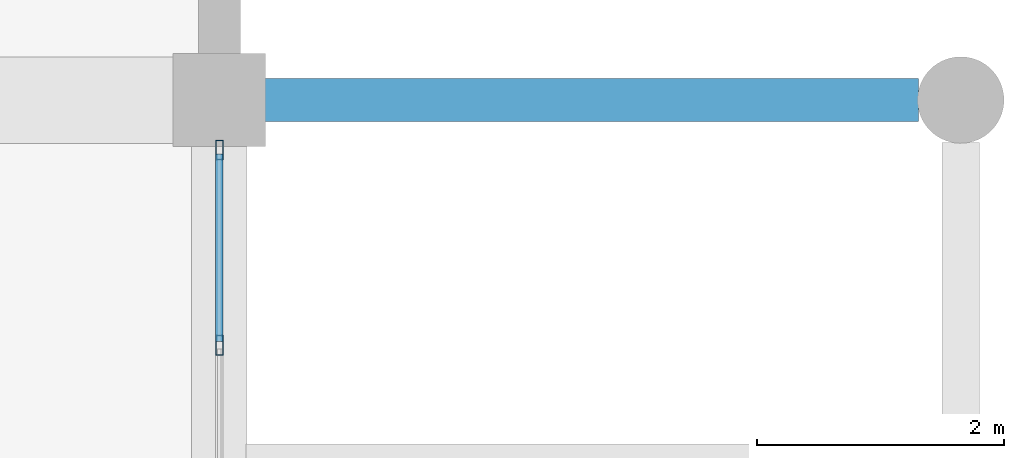
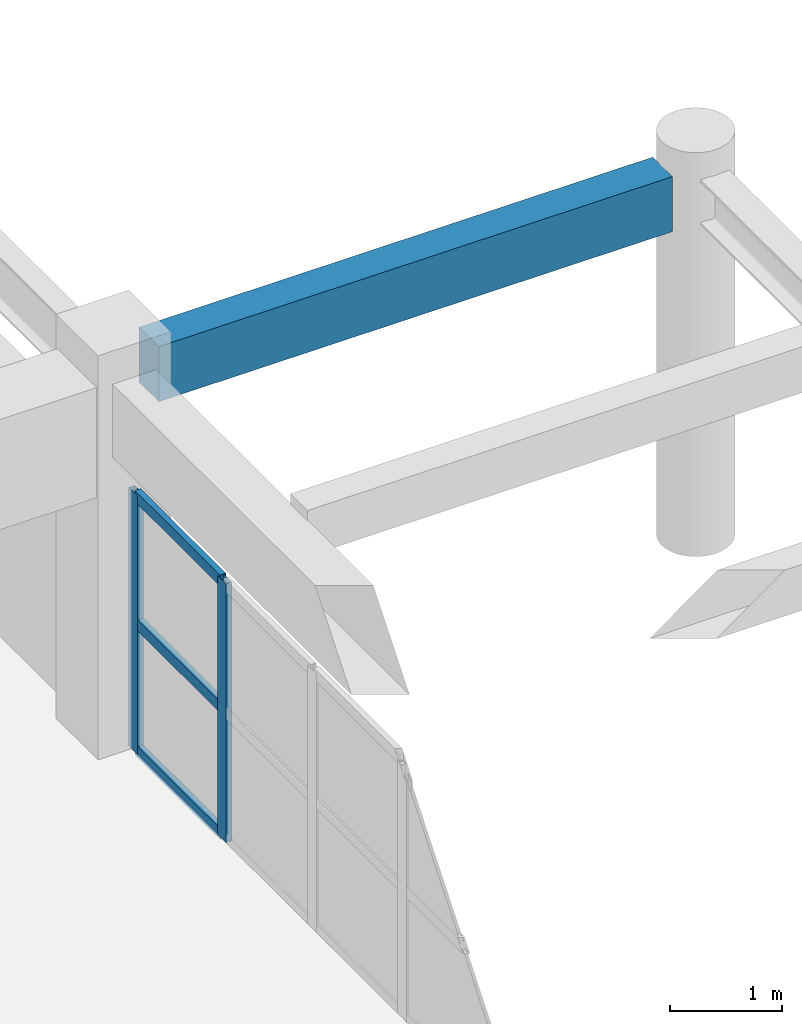
# One storey, part 83 of 116: 5 members, 1 beam, 1 element without a shape of its own.
"""IFC4 building model written with IfcOpenShell, lengths in metres."""

import ifcopenshell
import ifcopenshell.guid

model = None  # the IFC model being written
_history = None  # IfcOwnerHistory: only IFC2X3 demands one
_inside = {}  # id of a spatial element -> (the spatial element, [elements in it])
_under = {}  # id of a project, library or spatial element -> (it, [spatial elements below it])
_declared = {}  # id of a project -> (the project, [libraries it declares])
_typed = {}  # id of a type object -> (the type object, [elements of that type])
_made_of = {}  # id of a material, layer set ... -> (it, [elements and type objects made of it])


def new_model(schema):
    """Start an empty IFC model of exactly this schema.

    Asked for "IFC4X3", IfcOpenShell would pick the latest addendum, in which some entities
    have other attributes; the version numbers below select the first issue.
    IFC2X3 requires an IfcOwnerHistory on every rooted entity: one is made here for all.
    """
    global model, _history
    if schema == "IFC4X3":
        model = ifcopenshell.file(schema_version=(4, 3, 0, 0))
    else:
        model = ifcopenshell.file(schema=schema)
    _inside.clear()
    _under.clear()
    _declared.clear()
    _typed.clear()
    _made_of.clear()
    _history = None
    if model.schema == "IFC2X3":
        org = make("IfcOrganization", Name="unknown")
        user = make(
            "IfcPersonAndOrganization",
            ThePerson=make("IfcPerson", FamilyName="unknown"),
            TheOrganization=org,
        )
        app = make(
            "IfcApplication",
            ApplicationDeveloper=org,
            Version="unknown",
            ApplicationFullName="unknown",
            ApplicationIdentifier="unknown",
        )
        _history = make(
            "IfcOwnerHistory",
            OwningUser=user,
            OwningApplication=app,
            ChangeAction="ADDED",
            CreationDate=0,
        )
    return model


def make(cls, **values):
    """One entity of the class cls with the attributes given. An attribute that is None is left unset."""
    return model.create_entity(
        cls, **{name: value for name, value in values.items() if value is not None}
    )


def rooted(cls, **values):
    """An entity with a GlobalId (a new one), such as an element, a storey or a relation."""
    return make(cls, GlobalId=ifcopenshell.guid.new(), OwnerHistory=_history, **values)


def si_unit(unit_type, name, prefix=None):
    """IfcSIUnit, for example si_unit("LENGTHUNIT", "METRE", prefix="MILLI")."""
    return make("IfcSIUnit", UnitType=unit_type, Prefix=prefix, Name=name)


def assignment(units):
    """IfcUnitAssignment: the units of a project."""
    return None if units is None else make("IfcUnitAssignment", Units=units)


def point(xyz):
    """IfcCartesianPoint."""
    return None if xyz is None else make("IfcCartesianPoint", Coordinates=xyz)


def direction(xyz):
    """IfcDirection."""
    return None if xyz is None else make("IfcDirection", DirectionRatios=xyz)


def frame(location, z_axis=None, x_axis=None):
    """IfcAxis2Placement3D, a coordinate frame: its origin and axes. An axis left out is left unset."""
    return make(
        "IfcAxis2Placement3D",
        Location=point(location),
        Axis=direction(z_axis),
        RefDirection=direction(x_axis),
    )


def frame_2d(location, x_axis=None):
    """IfcAxis2Placement2D, a coordinate frame in the plane: its origin and x axis."""
    return make(
        "IfcAxis2Placement2D", Location=point(location), RefDirection=direction(x_axis)
    )


def origin():
    """The frame at (0, 0, 0) with its axes left unset."""
    return frame((0.0, 0.0, 0.0))


def origin_2d():
    """The frame at (0, 0) in the plane with its x axis left unset."""
    return frame_2d((0.0, 0.0))


def place(relative_to, where):
    """IfcLocalPlacement: puts the frame where relative to a parent placement (None: the world)."""
    return make(
        "IfcLocalPlacement", PlacementRelTo=relative_to, RelativePlacement=where
    )


def context(
    kind, dimensions, precision=None, world=None, true_north=None, identifier=None
):
    """IfcGeometricRepresentationContext, for example the 3D "Model" context."""
    return make(
        "IfcGeometricRepresentationContext",
        ContextIdentifier=identifier,
        ContextType=kind,
        CoordinateSpaceDimension=dimensions,
        Precision=precision,
        WorldCoordinateSystem=world,
        TrueNorth=true_north,
    )


def subcontext(parent, identifier, kind, view, scale=None):
    """IfcGeometricRepresentationSubContext, for example "Body" below "Model"."""
    return make(
        "IfcGeometricRepresentationSubContext",
        ContextIdentifier=identifier,
        ContextType=kind,
        ParentContext=parent,
        TargetScale=scale,
        TargetView=view,
    )


def project(units=None, contexts=None):
    """IfcProject with its units and contexts."""
    return rooted(
        "IfcProject",
        Name="project",
        RepresentationContexts=contexts,
        UnitsInContext=assignment(units),
    )


def spatial(cls, under=None, at=None, **own):
    """A site, building, storey or space (cls), placed at a placement, below another one or the project."""
    s = rooted(cls, ObjectPlacement=at, **own)
    if under is not None:
        _under.setdefault(under.id(), (under, []))[1].append(s)
    return s


def profile(cls, at=None, kind="AREA", **sizes):
    """A parametric profile (cls). Its sizes go by their IFC names, for example OverallWidth=200.0."""
    return make(cls, ProfileType=kind, Position=at, **sizes)


def rectangle(**sizes):
    """IfcRectangleProfileDef."""
    return profile("IfcRectangleProfileDef", **sizes)


def hollow_rectangle(**sizes):
    """IfcRectangleHollowProfileDef."""
    return profile("IfcRectangleHollowProfileDef", **sizes)


def extrude(swept, where, along, depth):
    """IfcExtrudedAreaSolid: the profile swept, set in the frame where, extruded along a direction by depth."""
    return make(
        "IfcExtrudedAreaSolid",
        SweptArea=swept,
        Position=where,
        ExtrudedDirection=direction(along),
        Depth=depth,
    )


def shape(context_of_items, identifier, shape_type, items):
    """IfcShapeRepresentation: the items that make up one representation, for example the "Body"."""
    return make(
        "IfcShapeRepresentation",
        ContextOfItems=context_of_items,
        RepresentationIdentifier=identifier,
        RepresentationType=shape_type,
        Items=items,
    )


def material(Name=None, Category=None):
    """IfcMaterial."""
    return make("IfcMaterial", Name=Name, Category=Category)


def layer(
    of_material, thickness, ventilated=None, Name=None, Category=None, Priority=None
):
    """IfcMaterialLayer: one layer of a wall or slab, of a material (None: an air gap)."""
    return make(
        "IfcMaterialLayer",
        Material=of_material,
        LayerThickness=thickness,
        IsVentilated=ventilated,
        Name=Name,
        Category=Category,
        Priority=Priority,
    )


def layer_set(layers, Name=None):
    """IfcMaterialLayerSet."""
    return make("IfcMaterialLayerSet", MaterialLayers=layers, LayerSetName=Name)


def material_profile(
    of_material, cross_section, Name=None, Category=None, Priority=None
):
    """IfcMaterialProfile: a cross section and its material."""
    return make(
        "IfcMaterialProfile",
        Name=Name,
        Material=of_material,
        Profile=cross_section,
        Priority=Priority,
        Category=Category,
    )


def profile_set(profiles, Name=None, composite=None):
    """IfcMaterialProfileSet."""
    return make(
        "IfcMaterialProfileSet",
        Name=Name,
        MaterialProfiles=profiles,
        CompositeProfile=composite,
    )


def made_of(thing, what):
    """Note that an element or type object is made of a material, layer set ...; save() writes the relation."""
    if what is not None:
        _made_of.setdefault(what.id(), (what, []))[1].append(thing)
    return thing


def type_object(cls, material=None, **own):
    """A type object (cls), such as IfcWallType, which elements share."""
    return made_of(rooted(cls, **own), material)


def element(
    cls,
    number,
    at=None,
    inside=None,
    cuts=None,
    type_object=None,
    material=None,
    context=None,
    identifier="Body",
    shape_type=None,
    held_by="IfcProductDefinitionShape",
    body=None,
    shapes=None,
    **own,
):
    """One element of the class cls, such as IfcWall. Its Tag is "e" and its number.

    at: its placement. inside: the storey or other place that contains it. cuts: it is an
    opening in that element (IfcRelVoidsElement). A single representation is given by context,
    identifier, shape_type and body (its items); several are given by shapes. held_by: the class
    of the entity that holds the representations. save() writes the other relations.
    """
    e = rooted(cls, Tag="e%d" % number, ObjectPlacement=at, **own)
    if body is not None:
        shapes = [shape(context, identifier, shape_type, body)]
    if shapes is not None:
        e.Representation = make(held_by, Representations=shapes)
    if inside is not None:
        _inside.setdefault(inside.id(), (inside, []))[1].append(e)
    if cuts is not None:
        rooted(
            "IfcRelVoidsElement", RelatingBuildingElement=cuts, RelatedOpeningElement=e
        )
    if type_object is not None:
        _typed.setdefault(type_object.id(), (type_object, []))[1].append(e)
    return made_of(e, material)


def aggregate(whole, parts):
    """IfcRelAggregates: a whole, such as a stair, and the parts it consists of."""
    return rooted("IfcRelAggregates", RelatingObject=whole, RelatedObjects=parts)


def save(model, path):
    """Write the relations noted so far, then the file.

    IfcRelAggregates (storeys below a building ...), IfcRelContainedInSpatialStructure (elements
    in a storey), IfcRelDefinesByType, IfcRelAssociatesMaterial and IfcRelDeclares: one each for
    every whole, place, type object, material and project.
    """
    for whole, parts in _under.values():
        aggregate(whole, parts)
    for where, things in _inside.values():
        rooted(
            "IfcRelContainedInSpatialStructure",
            RelatedElements=things,
            RelatingStructure=where,
        )
    for kind, things in _typed.values():
        rooted("IfcRelDefinesByType", RelatedObjects=things, RelatingType=kind)
    for what, things in _made_of.values():
        rooted("IfcRelAssociatesMaterial", RelatedObjects=things, RelatingMaterial=what)
    for by, libraries in _declared.values():
        rooted("IfcRelDeclares", RelatingContext=by, RelatedDefinitions=libraries)
    model.write(path)


model = new_model("IFC4")

# Units and contexts
model_context = context("Model", 3, precision=1e-05, world=origin(), true_north=direction((0.0, 1.0)))
body_context = subcontext(model_context, "Body", "Model", "MODEL_VIEW")
ifc_project = project(units=[si_unit("LENGTHUNIT", "METRE"), si_unit("AREAUNIT", "SQUARE_METRE"), si_unit("VOLUMEUNIT", "CUBIC_METRE"), si_unit("PLANEANGLEUNIT", "RADIAN"), si_unit("MASSUNIT", "GRAM", prefix="KILO")], contexts=[model_context])

# Site, building, storey
site_placement = place(None, origin())
site = spatial("IfcSite", under=ifc_project, at=site_placement, CompositionType="ELEMENT")
building_placement = place(site_placement, origin())
building = spatial("IfcBuilding", under=site, at=building_placement, Name="Muzn Square Opera House", CompositionType="ELEMENT")
storey_placement = place(building_placement, frame((0.0, 0.0, 5.39990234375)))
storey = spatial("IfcBuildingStorey", under=building, at=storey_placement, Name="L01", CompositionType="ELEMENT", Elevation=5.39990234375)

# Curtain wall, members
ifc_material_1 = material(Name="Low-E laminated acoustic double glazing", Category="glass")
ifc_layer = layer(ifc_material_1, 0.159912109375, Name="Low-E laminated acoustic double glazing", Category="glass")
ifc_layer_set = layer_set([ifc_layer], Name="Low-E laminated acoustic double glazing")
curtain_wall_type = type_object("IfcCurtainWallType", Name="Glazed Curtain Wall EastBlvd 8050x2820", PredefinedType="USERDEFINED", material=ifc_layer_set)
curtain_wall_placement = place(storey_placement, origin())
curtain_wall = element("IfcCurtainWall", 1, at=curtain_wall_placement, inside=storey, type_object=curtain_wall_type, Name="Glazed Curtain Wall CW-L01-121", ObjectType="GLAZED CURTAIN WALL", PredefinedType="USERDEFINED")
ifc_material_2 = material(Name="Anodised bronze aluminium 6063-T6", Category="metal")
ifc_material_profile_1 = material_profile(ifc_material_2, hollow_rectangle(XDim=0.06005859375, YDim=0.159912109375, WallThickness=0.00390625, at=origin_2d()), Name="ALU 160x60x4", Category="metal")
ifc_profile_set_1 = profile_set([ifc_material_profile_1], Name="Anodised bronze aluminium 6063-T6")
member_type_1 = type_object("IfcMemberType", Name="Curtain Wall Mullion 160x60", PredefinedType="MULLION", material=ifc_profile_set_1)
member_1_placement = place(storey_placement, frame((170.0, 96.614990234375, 0.0), z_axis=(0.0, 0.0, 1.0), x_axis=(-1.0, 0.0, 0.0)))
member_1 = element("IfcMember", 2, at=member_1_placement, type_object=member_type_1, Name="CW-EBL-80x28 mullion 5", PredefinedType="MULLION", context=body_context, shape_type="SweptSolid", body=[
    extrude(hollow_rectangle(XDim=0.06005859375, YDim=0.159912109375, WallThickness=0.00390625, at=origin_2d()), origin(), (0.0, 0.0, 1.0), 2.820068359375),
])
member_2_placement = place(storey_placement, frame((170.0, 98.195068359375, 0.0), z_axis=(0.0, 0.0, 1.0), x_axis=(-1.0, 0.0, 0.0)))
member_2 = element("IfcMember", 3, at=member_2_placement, type_object=member_type_1, Name="CW-EBL-80x28 mullion 6", PredefinedType="MULLION", context=body_context, shape_type="SweptSolid", body=[
    extrude(hollow_rectangle(XDim=0.06005859375, YDim=0.159912109375, WallThickness=0.00390625, at=origin_2d()), origin(), (0.0, 0.0, 1.0), 2.820068359375),
])
ifc_material_profile_2 = material_profile(ifc_material_2, hollow_rectangle(XDim=0.06005859375, YDim=0.1201171875, WallThickness=0.00390625, at=origin_2d()), Name="ALU 120x60x4", Category="metal")
ifc_profile_set_2 = profile_set([ifc_material_profile_2], Name="Anodised bronze aluminium 6063-T6")
member_type_2 = type_object("IfcMemberType", Name="Curtain Wall Transom 120x60", PredefinedType="USERDEFINED", material=ifc_profile_set_2)
member_3_placement = place(storey_placement, frame((170.0, 96.64501953125, 0.030029296875), z_axis=(0.0, 1.0, 0.0), x_axis=(-1.0, 0.0, 0.0)))
member_3 = element("IfcMember", 4, at=member_3_placement, type_object=member_type_2, Name="CW-EBL-80x28 transom 5.1", ObjectType="TRANSOM", PredefinedType="USERDEFINED", context=body_context, shape_type="SweptSolid", body=[
    extrude(hollow_rectangle(XDim=0.06005859375, YDim=0.1201171875, WallThickness=0.00390625, at=origin_2d()), origin(), (0.0, 0.0, 1.0), 1.52001953125),
])
member_4_placement = place(storey_placement, frame((170.0, 96.64501953125, 1.41015625), z_axis=(0.0, 1.0, 0.0), x_axis=(-1.0, 0.0, 0.0)))
member_4 = element("IfcMember", 5, at=member_4_placement, type_object=member_type_2, Name="CW-EBL-80x28 transom 5.2", ObjectType="TRANSOM", PredefinedType="USERDEFINED", context=body_context, shape_type="SweptSolid", body=[
    extrude(hollow_rectangle(XDim=0.06005859375, YDim=0.1201171875, WallThickness=0.00390625, at=origin_2d()), origin(), (0.0, 0.0, 1.0), 1.52001953125),
])
member_5_placement = place(storey_placement, frame((170.0, 96.64501953125, 2.7900390625), z_axis=(0.0, 1.0, 0.0), x_axis=(-1.0, 0.0, 0.0)))
member_5 = element("IfcMember", 6, at=member_5_placement, type_object=member_type_2, Name="CW-EBL-80x28 transom 5.3", ObjectType="TRANSOM", PredefinedType="USERDEFINED", context=body_context, shape_type="SweptSolid", body=[
    extrude(hollow_rectangle(XDim=0.06005859375, YDim=0.1201171875, WallThickness=0.00390625, at=origin_2d()), origin(), (0.0, 0.0, 1.0), 1.52001953125),
])
aggregate(curtain_wall, [member_1, member_2, member_3, member_4, member_5])

# Beam
ifc_material_3 = material(Name="Concrete C40/50", Category="concrete")
ifc_material_profile_3 = material_profile(ifc_material_3, rectangle(XDim=0.35009765625, YDim=0.60009765625, at=origin_2d()), Name="RCB 350x600", Category="concrete")
ifc_profile_set_3 = profile_set([ifc_material_profile_3], Name="Concrete C40/50")
beam_type = type_object("IfcBeamType", Name="Primary Girder 350x600", PredefinedType="BEAM", material=ifc_profile_set_3)
beam_placement = place(storey_placement, frame((170.366943359375, 98.60009765625, 3.820068359375), z_axis=(1.0, 0.0, 0.0), x_axis=(0.0, 1.0, 0.0)))
element("IfcBeam", 7, at=beam_placement, inside=storey, type_object=beam_type, Name="Primary Girder BM-L01-BM-PG600-1704_986_1757_986-1493", PredefinedType="BEAM", context=body_context, shape_type="SweptSolid", body=[
    extrude(rectangle(XDim=0.35009765625, YDim=0.60009765625, at=origin_2d()), origin(), (0.0, 0.0, 1.0), 5.291015625),
])

save(model, "model.ifc")
